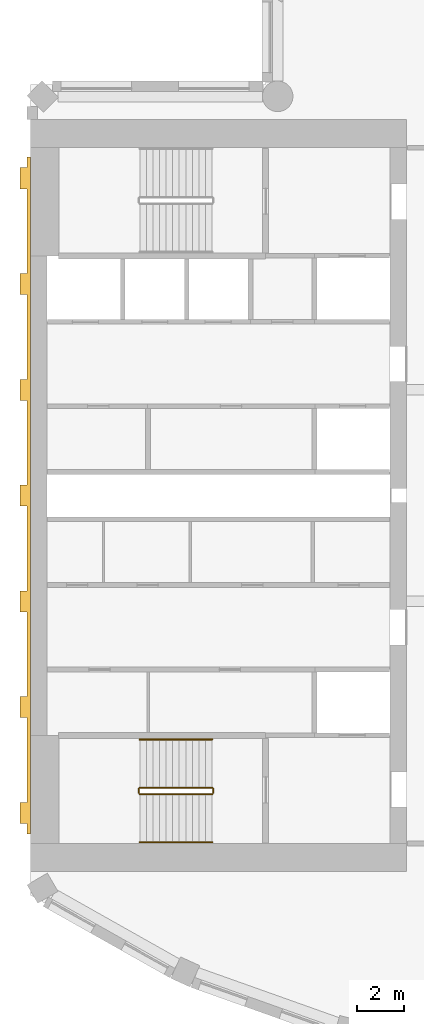
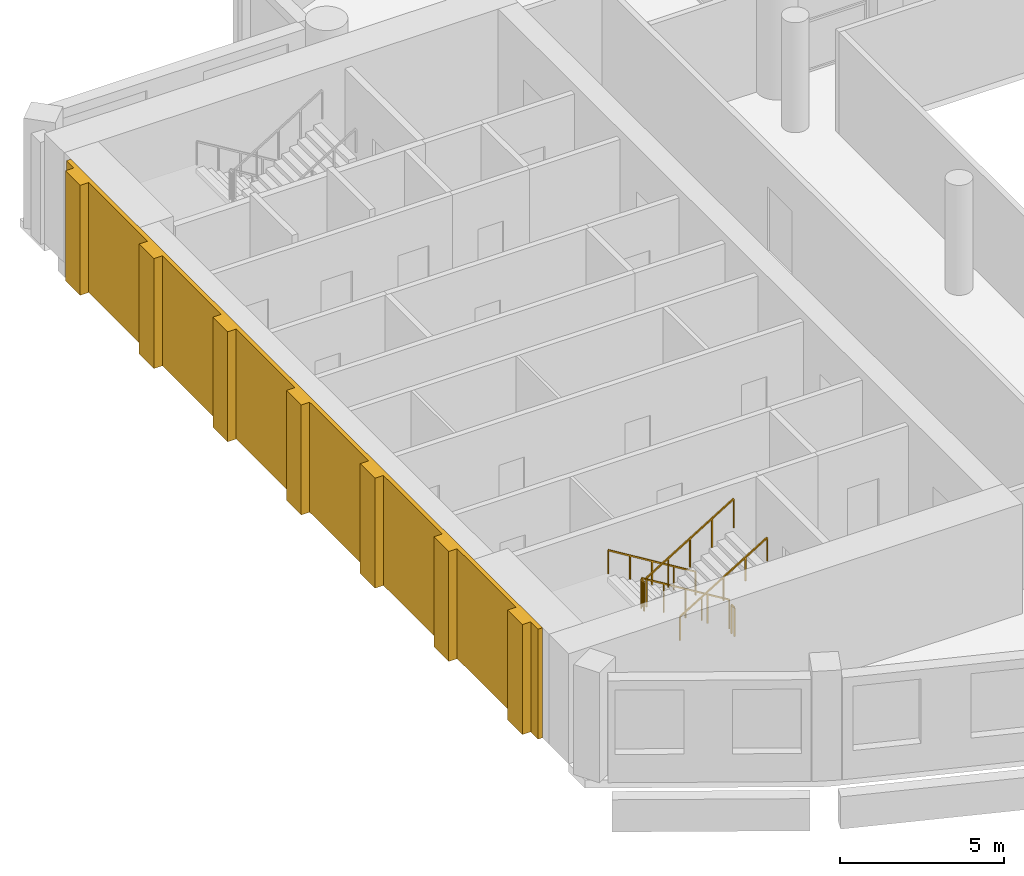
# One storey, part 10 of 14: 6 railings, 1 covering.
"""IFC4 building model written with IfcOpenShell, lengths in metres."""

from ifc_helpers import new_model, si_unit, direction, frame, origin, origin_2d, place, context, subcontext, project, spatial, polyline, rectangle, outline, extrude, material, layer, layer_set, type_object, element, save


model = new_model("IFC4")

# Units and contexts
model_context = context("Model", 3, precision=1e-05, world=origin(), true_north=direction((0.0, 1.0)))
body_context = subcontext(model_context, "Body", "Model", "MODEL_VIEW")
ifc_project = project(units=[si_unit("LENGTHUNIT", "METRE"), si_unit("AREAUNIT", "SQUARE_METRE"), si_unit("VOLUMEUNIT", "CUBIC_METRE"), si_unit("PLANEANGLEUNIT", "RADIAN"), si_unit("MASSUNIT", "GRAM", prefix="KILO")], contexts=[model_context])

# Site, building, storey
site_placement = place(None, origin())
site = spatial("IfcSite", under=ifc_project, at=site_placement, CompositionType="ELEMENT")
building_placement = place(site_placement, origin())
building = spatial("IfcBuilding", under=site, at=building_placement, Name="Cypress Arch Tower", CompositionType="ELEMENT")
storey_placement = place(building_placement, frame((0.0, 0.0, 272.10009765625)))
storey = spatial("IfcBuildingStorey", under=building, at=storey_placement, Name="L61", CompositionType="ELEMENT", Elevation=272.10009765625)

# Railings
ifc_material_1 = material(Name="Black powder-coated steel square bar 48 mm", Category="steel")
railing_type_1 = type_object("IfcRailingType", Name="Stair handrail HR1", PredefinedType="HANDRAIL", material=ifc_material_1)
railing_1_placement = place(storey_placement, frame((-22.27490234375, -10.375, 0.170654296875)))
element("IfcRailing", 1, at=railing_1_placement, inside=storey, type_object=railing_type_1, Name="L61 A stair handrail 1", PredefinedType="HANDRAIL", context=body_context, shape_type="SweptSolid", body=[
    extrude(rectangle(XDim=0.048095703125, YDim=0.048095703125, at=origin_2d()), frame((0.0, 0.0, 0.8759765625), z_axis=(-0.853666305674, 0.0, 0.52082035152), x_axis=(0.0, -1.0, 0.0)), (0.0, 0.0, 1.0), 3.608154296875),
    extrude(rectangle(XDim=0.0419921875, YDim=0.0419921875, at=origin_2d()), origin(), (0.0, 0.0, 1.0), 0.851806640625),
    extrude(rectangle(XDim=0.0419921875, YDim=0.0419921875, at=origin_2d()), frame((-0.77001953125, 0.0, 0.4697265625)), (0.0, 0.0, 1.0), 0.851806640625),
    extrude(rectangle(XDim=0.0419921875, YDim=0.0419921875, at=origin_2d()), frame((-1.5400390625, 0.0, 0.939453125)), (0.0, 0.0, 1.0), 0.851806640625),
    extrude(rectangle(XDim=0.0419921875, YDim=0.0419921875, at=origin_2d()), frame((-2.31005859375, 0.0, 1.409423828125)), (0.0, 0.0, 1.0), 0.851806640625),
    extrude(rectangle(XDim=0.0419921875, YDim=0.0419921875, at=origin_2d()), frame((-3.080078125, 0.0, 1.879150390625)), (0.0, 0.0, 1.0), 0.851806640625),
])
railing_2_placement = place(storey_placement, frame((-25.35498046875, -14.75, 2.220703125)))
element("IfcRailing", 2, at=railing_2_placement, inside=storey, type_object=railing_type_1, Name="L61 A stair handrail 2", PredefinedType="HANDRAIL", context=body_context, shape_type="SweptSolid", body=[
    extrude(rectangle(XDim=0.048095703125, YDim=0.048095703125, at=origin_2d()), frame((0.0, 0.0, 0.8759765625), z_axis=(0.853666305674, 0.0, 0.52082035152), x_axis=(0.0, 1.0, 0.0)), (0.0, 0.0, 1.0), 3.608154296875),
    extrude(rectangle(XDim=0.0419921875, YDim=0.0419921875, at=origin_2d()), origin(), (0.0, 0.0, 1.0), 0.851806640625),
    extrude(rectangle(XDim=0.0419921875, YDim=0.0419921875, at=origin_2d()), frame((0.77001953125, 0.0, 0.4697265625)), (0.0, 0.0, 1.0), 0.851806640625),
    extrude(rectangle(XDim=0.0419921875, YDim=0.0419921875, at=origin_2d()), frame((1.5400390625, 0.0, 0.939453125)), (0.0, 0.0, 1.0), 0.851806640625),
    extrude(rectangle(XDim=0.0419921875, YDim=0.0419921875, at=origin_2d()), frame((2.31005859375, 0.0, 1.409423828125)), (0.0, 0.0, 1.0), 0.851806640625),
    extrude(rectangle(XDim=0.0419921875, YDim=0.0419921875, at=origin_2d()), frame((3.080078125, 0.0, 1.879150390625)), (0.0, 0.0, 1.0), 0.851806640625),
])
ifc_material_2 = material(Name="Black powder-coated steel balusters", Category="steel")
railing_type_2 = type_object("IfcRailingType", Name="Stair well guard G1", PredefinedType="GUARDRAIL", material=ifc_material_2)
railing_3_placement = place(storey_placement, frame((-22.27490234375, -12.425048828125, 0.170654296875)))
element("IfcRailing", 3, at=railing_3_placement, inside=storey, type_object=railing_type_2, Name="L61 A stair guard 1", PredefinedType="GUARDRAIL", context=body_context, shape_type="SweptSolid", body=[
    extrude(rectangle(XDim=0.048095703125, YDim=0.048095703125, at=origin_2d()), frame((0.0, 0.0, 1.076171875), z_axis=(-0.853666305674, 0.0, 0.52082035152), x_axis=(0.0, -1.0, 0.0)), (0.0, 0.0, 1.0), 3.608154296875),
    extrude(rectangle(XDim=0.0419921875, YDim=0.0419921875, at=origin_2d()), origin(), (0.0, 0.0, 1.0), 1.052001953125),
    extrude(rectangle(XDim=0.0419921875, YDim=0.0419921875, at=origin_2d()), frame((-0.77001953125, 0.0, 0.4697265625)), (0.0, 0.0, 1.0), 1.052001953125),
    extrude(rectangle(XDim=0.0419921875, YDim=0.0419921875, at=origin_2d()), frame((-1.5400390625, 0.0, 0.939453125)), (0.0, 0.0, 1.0), 1.052001953125),
    extrude(rectangle(XDim=0.0419921875, YDim=0.0419921875, at=origin_2d()), frame((-2.31005859375, 0.0, 1.409423828125)), (0.0, 0.0, 1.0), 1.052001953125),
    extrude(rectangle(XDim=0.0419921875, YDim=0.0419921875, at=origin_2d()), frame((-3.080078125, 0.0, 1.879150390625)), (0.0, 0.0, 1.0), 1.052001953125),
])
railing_4_placement = place(storey_placement, frame((-25.405029296875, -12.47509765625, 2.0498046875)))
element("IfcRailing", 4, at=railing_4_placement, inside=storey, type_object=railing_type_2, Name="L61 A stair guard 2", PredefinedType="GUARDRAIL", context=body_context, shape_type="SweptSolid", body=[
    extrude(rectangle(XDim=0.048095703125, YDim=0.048095703125, at=origin_2d()), frame((0.0, 0.0, 1.076171875), z_axis=(0.0, -1.0, 0.0), x_axis=(1.0, 0.0, 0.0)), (0.0, 0.0, 1.0), 0.1748046875),
    extrude(rectangle(XDim=0.0419921875, YDim=0.0419921875, at=origin_2d()), origin(), (0.0, 0.0, 1.0), 1.052001953125),
    extrude(rectangle(XDim=0.0419921875, YDim=0.0419921875, at=origin_2d()), frame((0.0, -0.1748046875, 0.0)), (0.0, 0.0, 1.0), 1.052001953125),
])
railing_5_placement = place(storey_placement, frame((-25.35498046875, -12.699951171875, 2.220703125)))
element("IfcRailing", 5, at=railing_5_placement, inside=storey, type_object=railing_type_2, Name="L61 A stair guard 3", PredefinedType="GUARDRAIL", context=body_context, shape_type="SweptSolid", body=[
    extrude(rectangle(XDim=0.048095703125, YDim=0.048095703125, at=origin_2d()), frame((0.0, 0.0, 1.076171875), z_axis=(0.853666305674, 0.0, 0.52082035152), x_axis=(0.0, 1.0, 0.0)), (0.0, 0.0, 1.0), 3.608154296875),
    extrude(rectangle(XDim=0.0419921875, YDim=0.0419921875, at=origin_2d()), origin(), (0.0, 0.0, 1.0), 1.052001953125),
    extrude(rectangle(XDim=0.0419921875, YDim=0.0419921875, at=origin_2d()), frame((0.77001953125, 0.0, 0.4697265625)), (0.0, 0.0, 1.0), 1.052001953125),
    extrude(rectangle(XDim=0.0419921875, YDim=0.0419921875, at=origin_2d()), frame((1.5400390625, 0.0, 0.939453125)), (0.0, 0.0, 1.0), 1.052001953125),
    extrude(rectangle(XDim=0.0419921875, YDim=0.0419921875, at=origin_2d()), frame((2.31005859375, 0.0, 1.409423828125)), (0.0, 0.0, 1.0), 1.052001953125),
    extrude(rectangle(XDim=0.0419921875, YDim=0.0419921875, at=origin_2d()), frame((3.080078125, 0.0, 1.879150390625)), (0.0, 0.0, 1.0), 1.052001953125),
])
railing_6_placement = place(storey_placement, frame((-22.22509765625, -12.47509765625, 0.0)))
element("IfcRailing", 6, at=railing_6_placement, inside=storey, type_object=railing_type_2, Name="L61 A stair guard 4", PredefinedType="GUARDRAIL", context=body_context, shape_type="SweptSolid", body=[
    extrude(rectangle(XDim=0.048095703125, YDim=0.048095703125, at=origin_2d()), frame((0.0, 0.0, 1.076171875), z_axis=(0.0, -1.0, 0.0), x_axis=(1.0, 0.0, 0.0)), (0.0, 0.0, 1.0), 0.1748046875),
    extrude(rectangle(XDim=0.0419921875, YDim=0.0419921875, at=origin_2d()), origin(), (0.0, 0.0, 1.0), 1.052001953125),
    extrude(rectangle(XDim=0.0419921875, YDim=0.0419921875, at=origin_2d()), frame((0.0, -0.1748046875, 0.0)), (0.0, 0.0, 1.0), 1.052001953125),
])

# Covering
ifc_material_3 = material(Name="Brick (red buff blend)", Category="masonry")
ifc_layer = layer(ifc_material_3, 0.449951171875)
ifc_layer_set = layer_set([ifc_layer], Name="West face brick piers WP450")
covering_type = type_object("IfcCoveringType", Name="West face brick piers WP450", PredefinedType="CLADDING", material=ifc_layer_set)
covering_placement = place(storey_placement, origin())
element("IfcCovering", 7, at=covering_placement, inside=storey, type_object=covering_type, Name="West face brick piers L61", PredefinedType="CLADDING", context=body_context, shape_type="SweptSolid", body=[
    extrude(outline(polyline([(-30.14990234375, -13.050048828125), (-30.14990234375, -9.449951171875), (-30.449951171875, -9.449951171875), (-30.449951171875, -8.550048828125), (-30.14990234375, -8.550048828125), (-30.14990234375, -4.949951171875), (-30.449951171875, -4.949951171875), (-30.449951171875, -4.050048828125), (-30.14990234375, -4.050048828125), (-30.14990234375, -0.449951171875), (-30.449951171875, -0.449951171875), (-30.449951171875, 0.449951171875), (-30.14990234375, 0.449951171875), (-30.14990234375, 4.050048828125), (-30.449951171875, 4.050048828125), (-30.449951171875, 4.949951171875), (-30.14990234375, 4.949951171875), (-30.14990234375, 8.550048828125), (-30.449951171875, 8.550048828125), (-30.449951171875, 9.449951171875), (-30.14990234375, 9.449951171875), (-30.14990234375, 13.050048828125), (-30.449951171875, 13.050048828125), (-30.449951171875, 13.949951171875), (-30.14990234375, 13.949951171875), (-30.14990234375, 14.39990234375), (-30.0, 14.39990234375), (-30.0, -14.39990234375), (-30.14990234375, -14.39990234375), (-30.14990234375, -13.949951171875), (-30.449951171875, -13.949951171875), (-30.449951171875, -13.050048828125), (-30.14990234375, -13.050048828125)])), origin(), (0.0, 0.0, 1.0), 4.099853515625),
])

save(model, "model.ifc")
